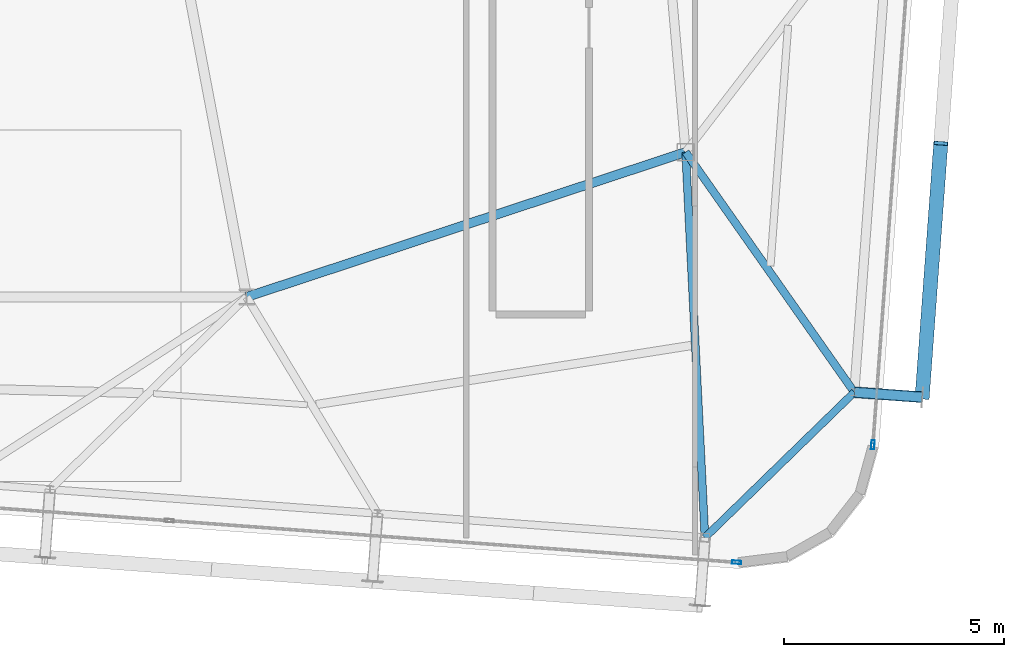
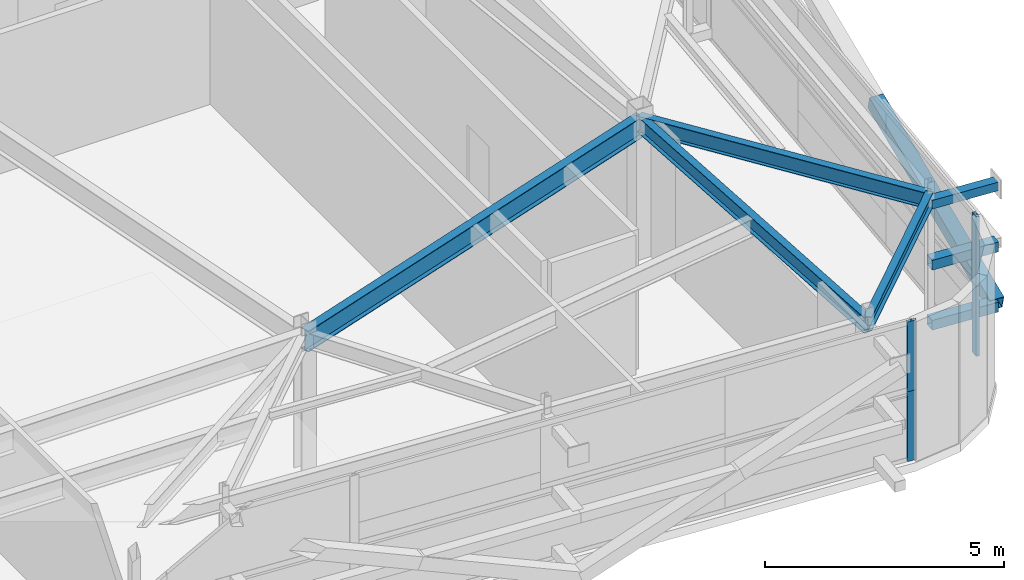
# One storey, part 15 of 35: 8 members, 4 beams, 4 elements without a shape of their own.
"""IFC4 building model written with IfcOpenShell, lengths in metres."""

from ifc_helpers import new_model, si_unit, direction, frame, origin, origin_2d, place, context, subcontext, project, spatial, hollow_rectangle, i_section, extrude, source, transform, mapped, material, layer, layer_set, material_profile, profile_set, type_object, element, aggregate, save


model = new_model("IFC4")

# Units and contexts
model_context = context("Model", 3, precision=1e-05, world=origin(), true_north=direction((0.0, 1.0)))
body_context = subcontext(model_context, "Body", "Model", "MODEL_VIEW")
ifc_project = project(units=[si_unit("LENGTHUNIT", "METRE"), si_unit("AREAUNIT", "SQUARE_METRE"), si_unit("VOLUMEUNIT", "CUBIC_METRE"), si_unit("PLANEANGLEUNIT", "RADIAN"), si_unit("MASSUNIT", "GRAM", prefix="KILO")], contexts=[model_context])

# Site, building, storey
site_placement = place(None, origin())
site = spatial("IfcSite", under=ifc_project, at=site_placement, CompositionType="ELEMENT")
building_placement = place(site_placement, origin())
building = spatial("IfcBuilding", under=site, at=building_placement, Name="Taldren Reach Tower", CompositionType="ELEMENT")
storey_placement = place(building_placement, frame((0.0, 0.0, 249.199951171875)))
storey = spatial("IfcBuildingStorey", under=building, at=storey_placement, Name="L76", CompositionType="ELEMENT", Elevation=249.199951171875)

# Beams
ifc_material_1 = material(Name="Steel Gr 350 (350PLUS)", Category="steel")
ifc_material_profile_1 = material_profile(ifc_material_1, i_section(OverallWidth=0.208984375, OverallDepth=0.532958984375, WebThickness=0.01025390625, FlangeThickness=0.015625, at=origin_2d()), Name="530UB92.4")
ifc_profile_set_1 = profile_set([ifc_material_profile_1], Name="Steel Gr 350 (350PLUS)")
beam_type_1 = type_object("IfcBeamType", Name="BM-UB530A", PredefinedType="BEAM", material=ifc_profile_set_1)
shared_shape_1 = source(origin(), body_context, "Body", "SweptSolid", [
    extrude(i_section(OverallWidth=0.208984375, OverallDepth=0.532958984375, WebThickness=0.01025390625, FlangeThickness=0.015625, at=origin_2d()), origin(), (0.0, 0.0, 1.0), 10.530517578125),
])
beam_1_placement = place(storey_placement, frame((42.0, 9.199951171875, 3.303466796875), z_axis=(0.949627269203, 0.313381635689, 0.0), x_axis=(-0.313381635689, 0.949627269203, 0.0)))
element("IfcBeam", 1, at=beam_1_placement, inside=storey, type_object=beam_type_1, Name="Core-spine girder L76-SP12", PredefinedType="BEAM", context=body_context, shape_type="MappedRepresentation", body=[
    mapped(shared_shape_1, transform((0.0, 0.0, 0.0), scale=1.0)),
])
ifc_material_profile_2 = material_profile(ifc_material_1, i_section(OverallWidth=0.172119140625, OverallDepth=0.35888671875, WebThickness=0.008056640625, FlangeThickness=0.012939453125, at=origin_2d()), Name="360UB56.7")
ifc_profile_set_2 = profile_set([ifc_material_profile_2], Name="Steel Gr 350 (350PLUS)")
beam_type_2 = type_object("IfcBeamType", Name="SP-UB360", PredefinedType="SPANDREL", material=ifc_profile_set_2)
shared_shape_2 = source(origin(), body_context, "Body", "SweptSolid", [
    extrude(i_section(OverallWidth=0.172119140625, OverallDepth=0.35888671875, WebThickness=0.008056640625, FlangeThickness=0.012939453125, at=origin_2d()), origin(), (0.0, 0.0, 1.0), 4.74609375),
])
beam_2_placement = place(storey_placement, frame((52.440185546875, 3.72119140625, 3.390625), z_axis=(0.716711338436, 0.697369957309, 0.0), x_axis=(-0.697369957309, 0.716711338436, 0.0)))
element("IfcBeam", 2, at=beam_2_placement, inside=storey, type_object=beam_type_2, Name="Perimeter spandrel B5 S6-E1 L76", PredefinedType="SPANDREL", context=body_context, shape_type="MappedRepresentation", body=[
    mapped(shared_shape_2, transform((0.0, 0.0, 0.0), scale=1.0)),
])
ifc_material_profile_3 = material_profile(ifc_material_1, i_section(OverallWidth=0.177978515625, OverallDepth=0.406005859375, WebThickness=0.0078125, FlangeThickness=0.0126953125, at=origin_2d()), Name="410UB59.7")
ifc_profile_set_3 = profile_set([ifc_material_profile_3], Name="Steel Gr 350 (350PLUS)")
beam_type_3 = type_object("IfcBeamType", Name="BM-UB410", PredefinedType="BEAM", material=ifc_profile_set_3)
shared_shape_3 = source(origin(), body_context, "Body", "SweptSolid", [
    extrude(i_section(OverallWidth=0.177978515625, OverallDepth=0.406005859375, WebThickness=0.0078125, FlangeThickness=0.0126953125, at=origin_2d()), origin(), (0.0, 0.0, 1.0), 8.789794921875),
])
beam_3_placement = place(storey_placement, frame((52.0, 12.5, 3.366943359375), z_axis=(0.050078917367, -0.998745263836, 0.0), x_axis=(0.998745263836, 0.050078917367, 0.0)))
element("IfcBeam", 3, at=beam_3_placement, inside=storey, type_object=beam_type_3, Name="Primary floor girder B5-S6 L76", PredefinedType="BEAM", context=body_context, shape_type="MappedRepresentation", body=[
    mapped(shared_shape_3, transform((0.0, 0.0, 0.0), scale=1.0)),
])
shared_shape_4 = source(origin(), body_context, "Body", "SweptSolid", [
    extrude(i_section(OverallWidth=0.177978515625, OverallDepth=0.406005859375, WebThickness=0.0078125, FlangeThickness=0.0126953125, at=origin_2d()), origin(), (0.0, 0.0, 1.0), 6.68359375),
])
beam_4_placement = place(storey_placement, frame((52.0, 12.5, 3.366943359375), z_axis=(0.574817292651, -0.818281785249, 0.0), x_axis=(0.818281785249, 0.574817292651, 0.0)))
element("IfcBeam", 4, at=beam_4_placement, inside=storey, type_object=beam_type_3, Name="Primary floor girder B5-E1 L76", PredefinedType="BEAM", context=body_context, shape_type="MappedRepresentation", body=[
    mapped(shared_shape_4, transform((0.0, 0.0, 0.0), scale=1.0)),
])

# Members
ifc_material_2 = material(Name="Steel Gr 450 (C450L0)", Category="steel")
ifc_material_profile_4 = material_profile(ifc_material_2, hollow_rectangle(XDim=0.219970703125, YDim=0.219970703125, WallThickness=0.00830078125, at=origin_2d()), Name="220x220x8.2SHS")
ifc_profile_set_4 = profile_set([ifc_material_profile_4], Name="Steel Gr 450 (C450L0)")
member_type_1 = type_object("IfcMemberType", Name="MB-TIE219", PredefinedType="STRUT", material=ifc_profile_set_4)
shared_shape_5 = source(origin(), body_context, "Body", "SweptSolid", [
    extrude(hollow_rectangle(XDim=0.219970703125, YDim=0.219970703125, WallThickness=0.00830078125, at=origin_2d()), origin(), (0.0, 0.0, 1.0), 1.546142578125),
])
member_1_placement = place(storey_placement, frame((55.845703125, 7.030517578125, 3.2900390625), z_axis=(0.997323903953, -0.073109716202, 0.0), x_axis=(0.073109716202, 0.997323903953, 0.0)))
element("IfcMember", 5, at=member_1_placement, inside=storey, type_object=member_type_1, Name="Exoskeleton diaphragm tie strut B5-E1 L76", PredefinedType="STRUT", context=body_context, shape_type="MappedRepresentation", body=[
    mapped(shared_shape_5, transform((0.0, 0.0, 0.0), scale=1.0)),
])
ifc_material_3 = material(Name="Steel Gr 350 (C350L0)", Category="steel")
ifc_material_profile_5 = material_profile(ifc_material_3, hollow_rectangle(XDim=0.25, YDim=0.25, WallThickness=0.010009765625, at=origin_2d()), Name="250x250x10.0SHS")
ifc_profile_set_5 = profile_set([ifc_material_profile_5], Name="Steel Gr 350 (C350L0)")
member_type_2 = type_object("IfcMemberType", Name="MB-POST250", PredefinedType="POST", material=ifc_profile_set_5)
shared_shape_6 = source(origin(), body_context, "Body", "SweptSolid", [
    extrude(hollow_rectangle(XDim=0.25, YDim=0.25, WallThickness=0.010009765625, at=origin_2d()), origin(), (0.0, 0.0, 1.0), 1.546142578125),
])
for number, where, z_axis, x_axis, name in (
    (6, (55.845703125, 7.030517578125, 0.219970703125), (0.997323903953, -0.073109716202, 0.0), (0.073109716202, 0.997323903953, 0.0), "Exoskeleton base diaphragm tie strut B5-E1 L76"),
    (7, (55.845703125, 7.030517578125, 1.755126953125), (0.997323903953, -0.073109716202, 0.0), (0.073109716202, 0.997323903953, 0.0), "Exoskeleton mid-tier diaphragm tie B5-E1 L76"),
):
    element("IfcMember", number, at=place(storey_placement, frame(where, z_axis=z_axis, x_axis=x_axis)), inside=storey, type_object=member_type_2, Name=name, PredefinedType="POST", context=body_context, shape_type="MappedRepresentation", body=[
        mapped(shared_shape_6, transform((0.0, 0.0, 0.0), scale=1.0)),
    ])
ifc_material_profile_6 = material_profile(ifc_material_2, hollow_rectangle(XDim=0.324951171875, YDim=0.324951171875, WallThickness=0.0126953125, at=origin_2d()), Name="325x325x12.7SHS")
ifc_profile_set_6 = profile_set([ifc_material_profile_6], Name="Steel Gr 450 (C450L0)")
member_type_3 = type_object("IfcMemberType", Name="MB-BR324", PredefinedType="BRACE", material=ifc_profile_set_6)
shared_shape_7 = source(origin(), body_context, "Body", "SweptSolid", [
    extrude(hollow_rectangle(XDim=0.324951171875, YDim=0.324951171875, WallThickness=0.0126953125, at=origin_2d()), origin(), (0.0, 0.0, 1.0), 5.999755859375),
])
member_2_placement = place(storey_placement, frame((57.3876953125, 6.91748046875, 0.219970703125), z_axis=(0.070763515993, 0.96411729984, 0.255871758806), x_axis=(-0.997317259472, 0.073200300267, 0.0)))
element("IfcMember", 8, at=member_2_placement, inside=storey, type_object=member_type_3, Name="Exoskeleton Diagrid Brace B5-E1 L76", PredefinedType="BRACE", context=body_context, shape_type="MappedRepresentation", body=[
    mapped(shared_shape_7, transform((0.0, 0.0, 0.0), scale=1.0)),
])

# Curtain wall, member
ifc_material_4 = material(Name="Aluminium and Low-E Glass Unitised System", Category="aluminium")
ifc_layer = layer(ifc_material_4, 0.159912109375)
ifc_layer_set = layer_set([ifc_layer], Name="Aluminium and Low-E Glass Unitised System")
curtain_wall_type = type_object("IfcCurtainWallType", Name="CW-SYS-6", PredefinedType="NOTDEFINED", material=ifc_layer_set)
curtain_wall_1_placement = place(storey_placement, origin())
curtain_wall_1 = element("IfcCurtainWall", 9, at=curtain_wall_1_placement, inside=storey, type_object=curtain_wall_type, Name="Unitised curtain wall CW-L76-S", PredefinedType="NOTDEFINED")
ifc_material_5 = material(Name="Anodised Aluminium 6063-T6", Category="aluminium")
ifc_material_profile_7 = material_profile(ifc_material_5, hollow_rectangle(XDim=0.074951171875, YDim=0.2099609375, WallThickness=0.00439453125, at=origin_2d()), Name="ALU-210x75x4.5RHS")
ifc_profile_set_7 = profile_set([ifc_material_profile_7], Name="Anodised Aluminium 6063-T6")
member_type_4 = type_object("IfcMemberType", Name="CW-MUL-200", PredefinedType="MULLION", material=ifc_profile_set_7)
shared_shape_8 = source(origin(), body_context, "Body", "SweptSolid", [
    extrude(hollow_rectangle(XDim=0.074951171875, YDim=0.2099609375, WallThickness=0.00439453125, at=origin_2d()), origin(), (0.0, 0.0, 1.0), 1.78515625),
])
member_3_placement = place(storey_placement, frame((53.163330078125, 3.15673828125, 0.0), z_axis=(0.0, 0.0, 1.0), x_axis=(0.073238213716, 0.997314476006, 0.0)))
member_3 = element("IfcMember", 10, at=member_3_placement, type_object=member_type_4, Name="CW-6 mullion 4", PredefinedType="MULLION", context=body_context, shape_type="MappedRepresentation", body=[
    mapped(shared_shape_8, transform((0.0, 0.0, 0.0), scale=1.0)),
])
aggregate(curtain_wall_1, [member_3])

curtain_wall_2_placement = place(storey_placement, origin())
curtain_wall_2 = element("IfcCurtainWall", 11, at=curtain_wall_2_placement, inside=storey, type_object=curtain_wall_type, Name="Unitised curtain wall CW-L76-E", PredefinedType="NOTDEFINED")
member_4_placement = place(storey_placement, frame((56.26513671875, 5.834228515625, 0.0), z_axis=(0.0, 0.0, 1.0), x_axis=(-0.997314470951, 0.073238282558, 0.0)))
member_4 = element("IfcMember", 12, at=member_4_placement, type_object=member_type_4, Name="CW-6 mullion 1", PredefinedType="MULLION", context=body_context, shape_type="MappedRepresentation", body=[
    mapped(shared_shape_8, transform((0.0, 0.0, 0.0), scale=1.0)),
])
aggregate(curtain_wall_2, [member_4])

curtain_wall_3_placement = place(storey_placement, origin())
curtain_wall_3 = element("IfcCurtainWall", 13, at=curtain_wall_3_placement, inside=storey, type_object=curtain_wall_type, Name="Unitised curtain wall CW-L76-S-T2", PredefinedType="NOTDEFINED")
shared_shape_9 = source(origin(), body_context, "Body", "SweptSolid", [
    extrude(hollow_rectangle(XDim=0.074951171875, YDim=0.2099609375, WallThickness=0.00439453125, at=origin_2d()), origin(), (0.0, 0.0, 1.0), 1.784912109375),
])
member_5_placement = place(storey_placement, frame((53.163330078125, 3.15673828125, 1.78515625), z_axis=(0.0, 0.0, 1.0), x_axis=(0.073238213716, 0.997314476006, 0.0)))
member_5 = element("IfcMember", 14, at=member_5_placement, type_object=member_type_4, Name="CW-6 mullion 4", PredefinedType="MULLION", context=body_context, shape_type="MappedRepresentation", body=[
    mapped(shared_shape_9, transform((0.0, 0.0, 0.0), scale=1.0)),
])
aggregate(curtain_wall_3, [member_5])

curtain_wall_4_placement = place(storey_placement, origin())
curtain_wall_4 = element("IfcCurtainWall", 15, at=curtain_wall_4_placement, inside=storey, type_object=curtain_wall_type, Name="Unitised curtain wall CW-L76-E-T2", PredefinedType="NOTDEFINED")
member_6_placement = place(storey_placement, frame((56.26513671875, 5.834228515625, 1.78515625), z_axis=(0.0, 0.0, 1.0), x_axis=(-0.997314470951, 0.073238282558, 0.0)))
member_6 = element("IfcMember", 16, at=member_6_placement, type_object=member_type_4, Name="CW-6 mullion 1", PredefinedType="MULLION", context=body_context, shape_type="MappedRepresentation", body=[
    mapped(shared_shape_9, transform((0.0, 0.0, 0.0), scale=1.0)),
])
aggregate(curtain_wall_4, [member_6])

save(model, "model.ifc")
